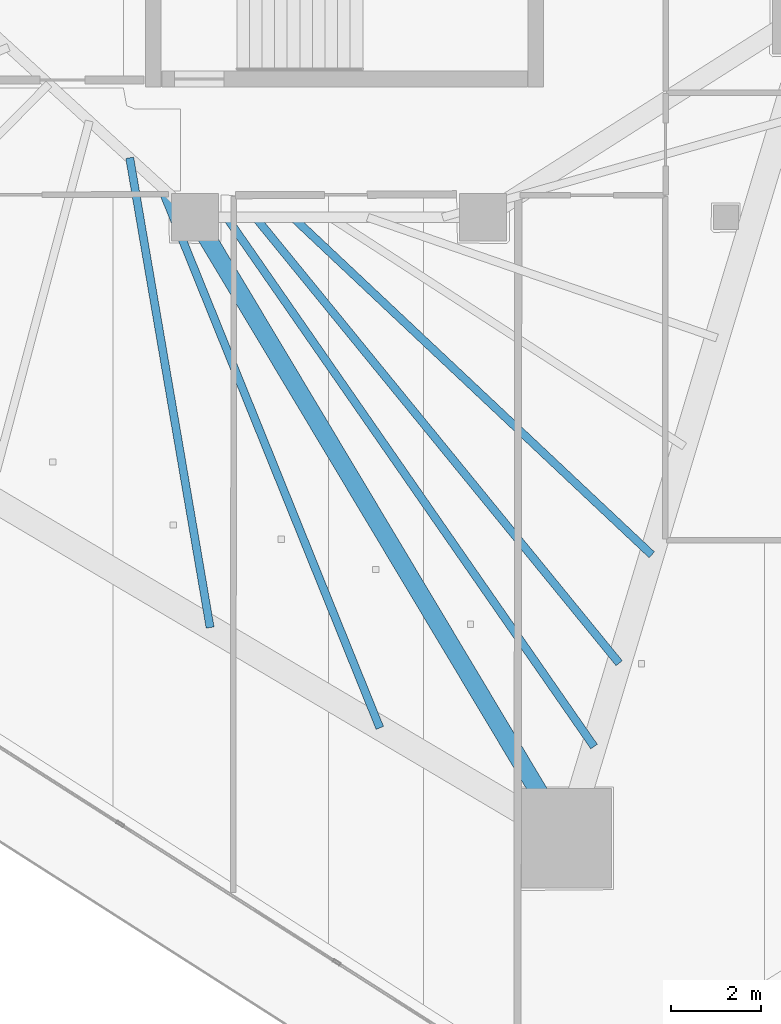
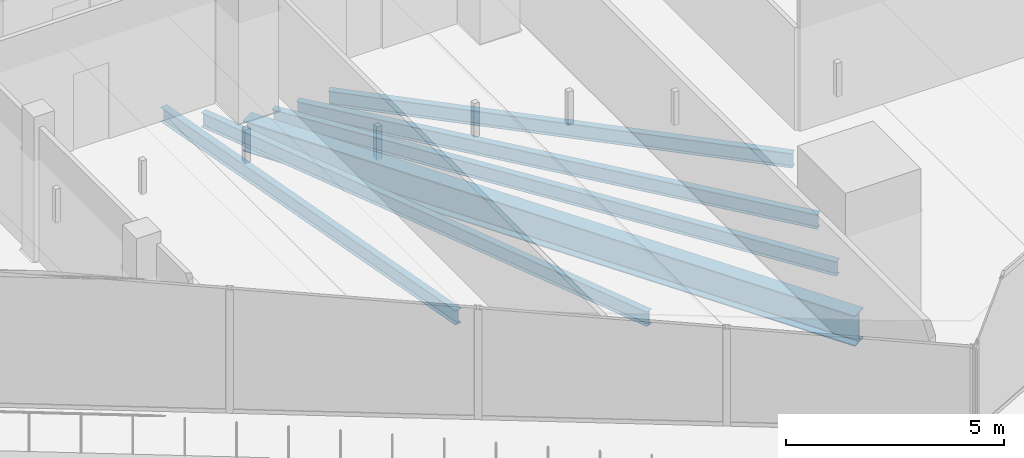
# One storey, part 8 of 45: 6 beams.
"""IFC4 building model written with IfcOpenShell, lengths in metres."""

from ifc_helpers import new_model, si_unit, direction, frame, origin, origin_2d, place, context, subcontext, project, spatial, i_section, extrude, material, material_profile, profile_set, type_object, element, save


model = new_model("IFC4")

# Units and contexts
model_context = context("Model", 3, precision=1e-05, world=origin(), true_north=direction((0.0, 1.0)))
body_context = subcontext(model_context, "Body", "Model", "MODEL_VIEW")
ifc_project = project(units=[si_unit("LENGTHUNIT", "METRE"), si_unit("AREAUNIT", "SQUARE_METRE"), si_unit("VOLUMEUNIT", "CUBIC_METRE"), si_unit("PLANEANGLEUNIT", "RADIAN"), si_unit("MASSUNIT", "GRAM", prefix="KILO")], contexts=[model_context])

# Site, building, storey
site_placement = place(None, origin())
site = spatial("IfcSite", under=ifc_project, at=site_placement, CompositionType="ELEMENT")
building_placement = place(site_placement, origin())
building = spatial("IfcBuilding", under=site, at=building_placement, Name="Qorvath Tower", CompositionType="ELEMENT")
storey_placement = place(building_placement, frame((0.0, 0.0, 109.800048828125)))
storey = spatial("IfcBuildingStorey", under=building, at=storey_placement, Name="L24", CompositionType="ELEMENT", Elevation=109.800048828125)

# Beams
ifc_material_1 = material(Name="Steel ASTM A992 Grade 50", Category="steel")
ifc_material_profile_1 = material_profile(ifc_material_1, i_section(OverallWidth=0.39892578125, OverallDepth=0.85498046875, WebThickness=0.018310546875, FlangeThickness=0.029296875, FilletRadius=0.02001953125, at=origin_2d()), Name="W33x201")
ifc_profile_set_1 = profile_set([ifc_material_profile_1], Name="Steel ASTM A992 Grade 50")
beam_type_1 = type_object("IfcBeamType", Name="BM-FG2", PredefinedType="BEAM", material=ifc_profile_set_1)
beam_1_placement = place(storey_placement, frame((-23.60009765625, -11.449951171875, -0.70751953125), z_axis=(0.513497213955, -0.85809126045, 0.0), x_axis=(0.85809126045, 0.513497213955, 0.0)))
element("IfcBeam", 1, at=beam_1_placement, inside=storey, type_object=beam_type_1, Name="Radial Floor Girder CC4-MC3 L24", PredefinedType="BEAM", context=body_context, shape_type="SweptSolid", body=[
    extrude(i_section(OverallWidth=0.39892578125, OverallDepth=0.85498046875, WebThickness=0.018310546875, FlangeThickness=0.029296875, FilletRadius=0.02001953125, at=origin_2d()), origin(), (0.0, 0.0, 1.0), 16.07763671875),
])
ifc_material_2 = material(Name="Steel ASTM A992 Grade 50", Category="steel")
ifc_material_profile_2 = material_profile(ifc_material_2, i_section(OverallWidth=0.177978515625, OverallDepth=0.406005859375, WebThickness=0.0078125, FlangeThickness=0.0126953125, FilletRadius=0.010986328125, at=origin_2d()), Name="W16x40")
ifc_profile_set_2 = profile_set([ifc_material_profile_2], Name="Steel ASTM A992 Grade 50")
beam_type_2 = type_object("IfcBeamType", Name="BM-FJ3", PredefinedType="JOIST", material=ifc_profile_set_2)
beam_2_placement = place(storey_placement, frame((-21.424072265625, -11.449951171875, -0.483154296875), z_axis=(0.728572459091, -0.684968737866, 0.0), x_axis=(0.684968737866, 0.728572459091, 0.0)))
element("IfcBeam", 2, at=beam_2_placement, inside=storey, type_object=beam_type_2, Name="Composite Floor Joist SE5 L24", PredefinedType="JOIST", context=body_context, shape_type="SweptSolid", body=[
    extrude(i_section(OverallWidth=0.177978515625, OverallDepth=0.406005859375, WebThickness=0.0078125, FlangeThickness=0.0126953125, FilletRadius=0.010986328125, at=origin_2d()), origin(), (0.0, 0.0, 1.0), 10.9462890625),
])
beam_3_placement = place(storey_placement, frame((-22.256103515625, -11.449951171875, -0.483154296875), z_axis=(0.632187975212, -0.774815051478, 0.0), x_axis=(0.774815051478, 0.632187975212, 0.0)))
element("IfcBeam", 3, at=beam_3_placement, inside=storey, type_object=beam_type_2, Name="Composite Floor Joist SE6 L24", PredefinedType="JOIST", context=body_context, shape_type="SweptSolid", body=[
    extrude(i_section(OverallWidth=0.177978515625, OverallDepth=0.406005859375, WebThickness=0.0078125, FlangeThickness=0.0126953125, FilletRadius=0.010986328125, at=origin_2d()), origin(), (0.0, 0.0, 1.0), 12.784912109375),
])
beam_4_placement = place(storey_placement, frame((-22.89599609375, -11.449951171875, -0.483154296875), z_axis=(0.570366725248, -0.821390162304, 0.0), x_axis=(0.821390162304, 0.570366725248, 0.0)))
element("IfcBeam", 4, at=beam_4_placement, inside=storey, type_object=beam_type_2, Name="Composite Floor Joist SE7 L24", PredefinedType="JOIST", context=body_context, shape_type="SweptSolid", body=[
    extrude(i_section(OverallWidth=0.177978515625, OverallDepth=0.406005859375, WebThickness=0.0078125, FlangeThickness=0.0126953125, FilletRadius=0.010986328125, at=origin_2d()), origin(), (0.0, 0.0, 1.0), 14.3154296875),
])
beam_5_placement = place(storey_placement, frame((-25.049072265625, -10.126953125, -0.483154296875), z_axis=(0.168745594245, -0.985659639238, 0.0), x_axis=(0.985659639238, 0.168745594245, 0.0)))
element("IfcBeam", 5, at=beam_5_placement, inside=storey, type_object=beam_type_2, Name="Composite Floor Joist SW6 L24", PredefinedType="JOIST", context=body_context, shape_type="SweptSolid", body=[
    extrude(i_section(OverallWidth=0.177978515625, OverallDepth=0.406005859375, WebThickness=0.0078125, FlangeThickness=0.0126953125, FilletRadius=0.010986328125, at=origin_2d()), origin(), (0.0, 0.0, 1.0), 10.589111328125),
])
beam_6_placement = place(storey_placement, frame((-24.35888671875, -10.757080078125, -0.483154296875), z_axis=(0.37487652097, -0.927074751045, 0.0), x_axis=(0.927074751045, 0.37487652097, 0.0)))
element("IfcBeam", 6, at=beam_6_placement, inside=storey, type_object=beam_type_2, Name="Composite Floor Joist SW7 L24", PredefinedType="JOIST", context=body_context, shape_type="SweptSolid", body=[
    extrude(i_section(OverallWidth=0.177978515625, OverallDepth=0.406005859375, WebThickness=0.0078125, FlangeThickness=0.0126953125, FilletRadius=0.010986328125, at=origin_2d()), origin(), (0.0, 0.0, 1.0), 12.9833984375),
])

save(model, "model.ifc")
